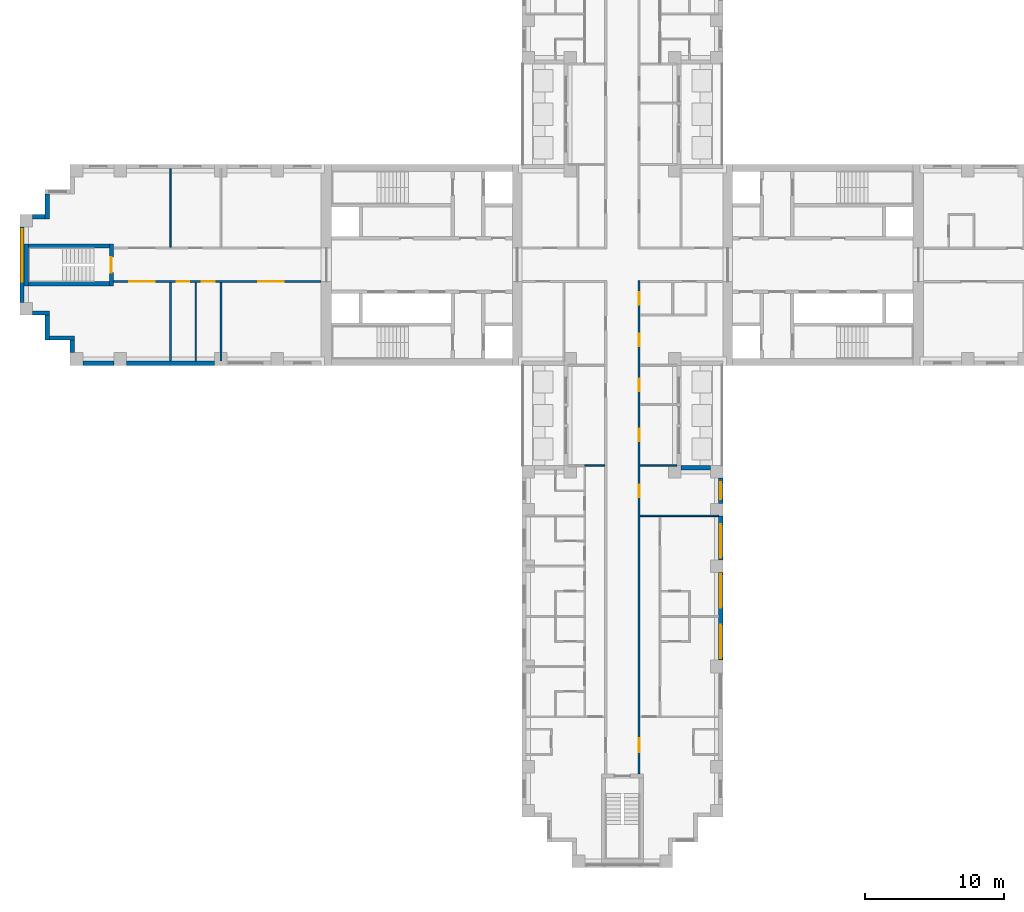
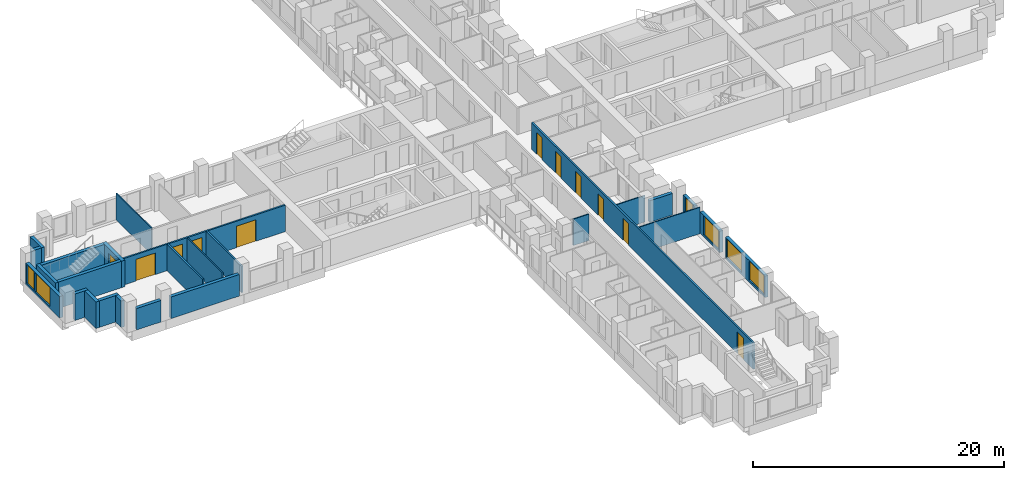
# One storey, part 5 of 15: 26 walls, 11 doors, 6 windows, 17 openings.
"""IFC4 building model written with IfcOpenShell, lengths in metres."""

from ifc_helpers import new_model, si_unit, direction, frame, frame_2d, origin, place, context, subcontext, project, spatial, rectangle, extrude, material, layer, layer_set, type_object, element, fill, save


model = new_model("IFC4")

# Units and contexts
model_context = context("Model", 3, precision=1e-05, world=origin(), true_north=direction((0.0, 1.0)))
body_context = subcontext(model_context, "Body", "Model", "MODEL_VIEW")
ifc_project = project(units=[si_unit("LENGTHUNIT", "METRE"), si_unit("AREAUNIT", "SQUARE_METRE"), si_unit("VOLUMEUNIT", "CUBIC_METRE"), si_unit("PLANEANGLEUNIT", "RADIAN"), si_unit("MASSUNIT", "GRAM", prefix="KILO")], contexts=[model_context])

# Site, building, storey
site_placement = place(None, origin())
site = spatial("IfcSite", under=ifc_project, at=site_placement, CompositionType="ELEMENT")
building_placement = place(site_placement, origin())
building = spatial("IfcBuilding", under=site, at=building_placement, Name="Fustian Cross Tower", CompositionType="ELEMENT")
storey_placement = place(building_placement, frame((0.0, 0.0, 17.699951171875)))
storey = spatial("IfcBuildingStorey", under=building, at=storey_placement, Name="L04", CompositionType="ELEMENT", Elevation=17.699951171875)

# Wall, openings, doors
ifc_material_1 = material(Name="Plasterboard on steel stud", Category="steel")
ifc_layer_1 = layer(ifc_material_1, 0.14990234375)
ifc_layer_set_1 = layer_set([ifc_layer_1], Name="Plasterboard on steel stud")
wall_type_1 = type_object("IfcWallType", Name="COMPARTMENT WALL 150 EI 60", PredefinedType="PARTITIONING", material=ifc_layer_set_1)
wall_1_placement = place(storey_placement, frame((-36.5, -1.199951171875, 0.0), z_axis=(0.0, 0.0, 1.0), x_axis=(1.0, 0.0, 0.0)))
wall_1 = element("IfcWall", 1, at=wall_1_placement, inside=storey, type_object=wall_type_1, Name="Partition 1", PredefinedType="PARTITIONING", context=body_context, shape_type="SweptSolid", body=[
    extrude(rectangle(XDim=14.89990234375, YDim=0.14990234375, at=frame_2d((7.449951171875, 0.0))), origin(), (0.0, 0.0, 1.0), 2.574951171875),
])
opening_1_placement = place(wall_1_placement, frame((10.39990234375, 0.0, 0.0)))
opening_1 = element("IfcOpeningElement", 2, at=opening_1_placement, cuts=wall_1, Name="Opening D04048", PredefinedType="OPENING", context=body_context, shape_type="SweptSolid", body=[
    extrude(rectangle(XDim=1.800048828125, YDim=2.10009765625, at=frame_2d((0.89990234375, 1.050048828125))), frame((0.0, 0.0849609375, 0.0), z_axis=(0.0, -1.0, 0.0), x_axis=(1.0, 0.0, 0.0)), (0.0, 0.0, 1.0), 0.169921875),
])
opening_2_placement = place(wall_1_placement, frame((6.35009765625, 0.0, 0.0)))
opening_2 = element("IfcOpeningElement", 3, at=opening_2_placement, cuts=wall_1, Name="Opening D04049", PredefinedType="OPENING", context=body_context, shape_type="SweptSolid", body=[
    extrude(rectangle(XDim=0.89990234375, YDim=2.10009765625, at=frame_2d((0.449951171875, 1.050048828125))), frame((0.0, 0.0849609375, 0.0), z_axis=(0.0, -1.0, 0.0), x_axis=(1.0, 0.0, 0.0)), (0.0, 0.0, 1.0), 0.169921875),
])
opening_3_placement = place(wall_1_placement, frame((4.550048828125, 0.0, 0.0)))
opening_3 = element("IfcOpeningElement", 4, at=opening_3_placement, cuts=wall_1, Name="Opening D04050", PredefinedType="OPENING", context=body_context, shape_type="SweptSolid", body=[
    extrude(rectangle(XDim=0.89990234375, YDim=2.10009765625, at=frame_2d((0.449951171875, 1.050048828125))), frame((0.0, 0.0849609375, 0.0), z_axis=(0.0, -1.0, 0.0), x_axis=(1.0, 0.0, 0.0)), (0.0, 0.0, 1.0), 0.169921875),
])
opening_4_placement = place(wall_1_placement, frame((1.14990234375, 0.0, 0.0)))
opening_4 = element("IfcOpeningElement", 5, at=opening_4_placement, cuts=wall_1, Name="Opening D04051", PredefinedType="OPENING", context=body_context, shape_type="SweptSolid", body=[
    extrude(rectangle(XDim=1.800048828125, YDim=2.10009765625, at=frame_2d((0.89990234375, 1.050048828125))), frame((0.0, 0.0849609375, 0.0), z_axis=(0.0, -1.0, 0.0), x_axis=(1.0, 0.0, 0.0)), (0.0, 0.0, 1.0), 0.169921875),
])
ifc_material_2 = material(Name="Timber fire door set", Category="wood")
door_type_1 = type_object("IfcDoorType", Name="FIRE DOUBLE DOOR 1800 FD30S", OperationType="DOUBLE_DOOR_DOUBLE_SWING", PredefinedType="DOOR", material=ifc_material_2)
door_1_placement = place(opening_1_placement, origin())
door_1 = element("IfcDoor", 6, at=door_1_placement, inside=storey, type_object=door_type_1, Name="Door D04048", OperationType="DOUBLE_DOOR_DOUBLE_SWING", OverallHeight=2.10009765625, OverallWidth=1.800048828125, PredefinedType="DOOR", context=body_context, shape_type="SweptSolid", body=[
    extrude(rectangle(XDim=1.800048828125, YDim=2.10009765625, at=frame_2d((0.89990234375, 1.050048828125))), frame((0.0, 0.02490234375, 0.0), z_axis=(0.0, -1.0, 0.0), x_axis=(1.0, 0.0, 0.0)), (0.0, 0.0, 1.0), 0.050048828125),
])
fill(opening_1, door_1)
door_2_placement = place(opening_4_placement, origin())
door_2 = element("IfcDoor", 7, at=door_2_placement, inside=storey, type_object=door_type_1, Name="Door D04051", OperationType="DOUBLE_DOOR_DOUBLE_SWING", OverallHeight=2.10009765625, OverallWidth=1.800048828125, PredefinedType="DOOR", context=body_context, shape_type="SweptSolid", body=[
    extrude(rectangle(XDim=1.800048828125, YDim=2.10009765625, at=frame_2d((0.89990234375, 1.050048828125))), frame((0.0, 0.02490234375, 0.0), z_axis=(0.0, -1.0, 0.0), x_axis=(1.0, 0.0, 0.0)), (0.0, 0.0, 1.0), 0.050048828125),
])
fill(opening_4, door_2)
ifc_material_3 = material(Name="Timber fire door set", Category="wood")
door_type_2 = type_object("IfcDoorType", Name="FIRE SWING DOOR 900 FD30S", OperationType="SINGLE_SWING_LEFT", PredefinedType="DOOR", material=ifc_material_3)
door_3_placement = place(opening_2_placement, frame((0.89990234375, 0.0, 0.0), z_axis=(0.0, 0.0, 1.0), x_axis=(-1.0, 0.0, 0.0)))
door_3 = element("IfcDoor", 8, at=door_3_placement, inside=storey, type_object=door_type_2, Name="Door D04049", OperationType="SINGLE_SWING_LEFT", OverallHeight=2.10009765625, OverallWidth=0.89990234375, PredefinedType="DOOR", context=body_context, shape_type="SweptSolid", body=[
    extrude(rectangle(XDim=0.89990234375, YDim=2.10009765625, at=frame_2d((0.449951171875, 1.050048828125))), frame((0.0, 0.02490234375, 0.0), z_axis=(0.0, -1.0, 0.0), x_axis=(1.0, 0.0, 0.0)), (0.0, 0.0, 1.0), 0.050048828125),
])
fill(opening_2, door_3)
door_4_placement = place(opening_3_placement, frame((0.89990234375, 0.0, 0.0), z_axis=(0.0, 0.0, 1.0), x_axis=(-1.0, 0.0, 0.0)))
door_4 = element("IfcDoor", 9, at=door_4_placement, inside=storey, type_object=door_type_2, Name="Door D04050", OperationType="SINGLE_SWING_LEFT", OverallHeight=2.10009765625, OverallWidth=0.89990234375, PredefinedType="DOOR", context=body_context, shape_type="SweptSolid", body=[
    extrude(rectangle(XDim=0.89990234375, YDim=2.10009765625, at=frame_2d((0.449951171875, 1.050048828125))), frame((0.0, 0.02490234375, 0.0), z_axis=(0.0, -1.0, 0.0), x_axis=(1.0, 0.0, 0.0)), (0.0, 0.0, 1.0), 0.050048828125),
])
fill(opening_3, door_4)

# Walls
for number, where, z_axis, x_axis, name in (
    (10, (-32.39990234375, -6.89990234375, 0.0), (0.0, 0.0, 1.0), (0.0, 1.0, 0.0), "Partition 3"),
    (11, (-28.800048828125, -6.89990234375, 0.0), (0.0, 0.0, 1.0), (0.0, 1.0, 0.0), "Partition 6"),
):
    element("IfcWall", number, at=place(storey_placement, frame(where, z_axis=z_axis, x_axis=x_axis)), inside=storey, type_object=wall_type_1, Name=name, PredefinedType="PARTITIONING", context=body_context, shape_type="SweptSolid", body=[
        extrude(rectangle(XDim=5.625, YDim=0.14990234375, at=frame_2d((2.8125, 0.0))), origin(), (0.0, 0.0, 1.0), 2.574951171875),
    ])

# Wall, openings, doors
wall_2_placement = place(storey_placement, frame((1.199951171875, -36.5, 0.0), z_axis=(0.0, 0.0, 1.0), x_axis=(0.0, 1.0, 0.0)))
wall_2 = element("IfcWall", 12, at=wall_2_placement, inside=storey, type_object=wall_type_1, Name="Partition 56", PredefinedType="PARTITIONING", context=body_context, shape_type="SweptSolid", body=[
    extrude(rectangle(XDim=35.375, YDim=0.14990234375, at=frame_2d((17.6875, 0.0))), origin(), (0.0, 0.0, 1.0), 2.574951171875),
])
opening_5_placement = place(wall_2_placement, frame((33.64990234375, 0.0, 0.0)))
opening_5 = element("IfcOpeningElement", 13, at=opening_5_placement, cuts=wall_2, Name="Opening D04005", PredefinedType="OPENING", context=body_context, shape_type="SweptSolid", body=[
    extrude(rectangle(XDim=0.89990234375, YDim=2.10009765625, at=frame_2d((0.449951171875, 1.050048828125))), frame((0.0, 0.0849609375, 0.0), z_axis=(0.0, -1.0, 0.0), x_axis=(1.0, 0.0, 0.0)), (0.0, 0.0, 1.0), 0.169921875),
])
opening_6_placement = place(wall_2_placement, frame((30.64990234375, 0.0, 0.0)))
opening_6 = element("IfcOpeningElement", 14, at=opening_6_placement, cuts=wall_2, Name="Opening D04007", PredefinedType="OPENING", context=body_context, shape_type="SweptSolid", body=[
    extrude(rectangle(XDim=0.89990234375, YDim=2.10009765625, at=frame_2d((0.449951171875, 1.050048828125))), frame((0.0, 0.0849609375, 0.0), z_axis=(0.0, -1.0, 0.0), x_axis=(1.0, 0.0, 0.0)), (0.0, 0.0, 1.0), 0.169921875),
])
opening_7_placement = place(wall_2_placement, frame((27.449951171875, 0.0, 0.0)))
opening_7 = element("IfcOpeningElement", 15, at=opening_7_placement, cuts=wall_2, Name="Opening D04055", PredefinedType="OPENING", context=body_context, shape_type="SweptSolid", body=[
    extrude(rectangle(XDim=0.89990234375, YDim=2.10009765625, at=frame_2d((0.449951171875, 1.050048828125))), frame((0.0, 0.0849609375, 0.0), z_axis=(0.0, -1.0, 0.0), x_axis=(1.0, 0.0, 0.0)), (0.0, 0.0, 1.0), 0.169921875),
])
opening_8_placement = place(wall_2_placement, frame((23.85009765625, 0.0, 0.0)))
opening_8 = element("IfcOpeningElement", 16, at=opening_8_placement, cuts=wall_2, Name="Opening D04056", PredefinedType="OPENING", context=body_context, shape_type="SweptSolid", body=[
    extrude(rectangle(XDim=0.89990234375, YDim=2.10009765625, at=frame_2d((0.449951171875, 1.050048828125))), frame((0.0, 0.0849609375, 0.0), z_axis=(0.0, -1.0, 0.0), x_axis=(1.0, 0.0, 0.0)), (0.0, 0.0, 1.0), 0.169921875),
])
opening_9_placement = place(wall_2_placement, frame((19.85009765625, 0.0, 0.0)))
opening_9 = element("IfcOpeningElement", 17, at=opening_9_placement, cuts=wall_2, Name="Opening D04057", PredefinedType="OPENING", context=body_context, shape_type="SweptSolid", body=[
    extrude(rectangle(XDim=0.89990234375, YDim=2.10009765625, at=frame_2d((0.449951171875, 1.050048828125))), frame((0.0, 0.0849609375, 0.0), z_axis=(0.0, -1.0, 0.0), x_axis=(1.0, 0.0, 0.0)), (0.0, 0.0, 1.0), 0.169921875),
])
opening_10_placement = place(wall_2_placement, frame((1.550048828125, 0.0, 0.0)))
opening_10 = element("IfcOpeningElement", 18, at=opening_10_placement, cuts=wall_2, Name="Opening D04059", PredefinedType="OPENING", context=body_context, shape_type="SweptSolid", body=[
    extrude(rectangle(XDim=1.0, YDim=2.10009765625, at=frame_2d((0.5, 1.050048828125))), frame((0.0, 0.0849609375, 0.0), z_axis=(0.0, -1.0, 0.0), x_axis=(1.0, 0.0, 0.0)), (0.0, 0.0, 1.0), 0.169921875),
])
ifc_material_4 = material(Name="Timber fire door set", Category="wood")
door_type_3 = type_object("IfcDoorType", Name="FIRE SWING DOOR 1000 FD30S", OperationType="SINGLE_SWING_LEFT", PredefinedType="DOOR", material=ifc_material_4)
door_5_placement = place(opening_10_placement, frame((1.0, 0.0, 0.0), z_axis=(0.0, 0.0, 1.0), x_axis=(-1.0, 0.0, 0.0)))
door_5 = element("IfcDoor", 19, at=door_5_placement, inside=storey, type_object=door_type_3, Name="Door D04059", OperationType="SINGLE_SWING_LEFT", OverallHeight=2.10009765625, OverallWidth=1.0, PredefinedType="DOOR", context=body_context, shape_type="SweptSolid", body=[
    extrude(rectangle(XDim=1.0, YDim=2.10009765625, at=frame_2d((0.5, 1.050048828125))), frame((0.0, 0.02490234375, 0.0), z_axis=(0.0, -1.0, 0.0), x_axis=(1.0, 0.0, 0.0)), (0.0, 0.0, 1.0), 0.050048828125),
])
fill(opening_10, door_5)
door_6_placement = place(opening_5_placement, frame((0.89990234375, 0.0, 0.0), z_axis=(0.0, 0.0, 1.0), x_axis=(-1.0, 0.0, 0.0)))
door_6 = element("IfcDoor", 20, at=door_6_placement, inside=storey, type_object=door_type_2, Name="Door D04005", OperationType="SINGLE_SWING_RIGHT", OverallHeight=2.10009765625, OverallWidth=0.89990234375, PredefinedType="DOOR", context=body_context, shape_type="SweptSolid", body=[
    extrude(rectangle(XDim=0.89990234375, YDim=2.10009765625, at=frame_2d((0.449951171875, 1.050048828125))), frame((0.0, 0.02490234375, 0.0), z_axis=(0.0, -1.0, 0.0), x_axis=(1.0, 0.0, 0.0)), (0.0, 0.0, 1.0), 0.050048828125),
])
fill(opening_5, door_6)
door_7_placement = place(opening_6_placement, frame((0.89990234375, 0.0, 0.0), z_axis=(0.0, 0.0, 1.0), x_axis=(-1.0, 0.0, 0.0)))
door_7 = element("IfcDoor", 21, at=door_7_placement, inside=storey, type_object=door_type_2, Name="Door D04007", OperationType="SINGLE_SWING_RIGHT", OverallHeight=2.10009765625, OverallWidth=0.89990234375, PredefinedType="DOOR", context=body_context, shape_type="SweptSolid", body=[
    extrude(rectangle(XDim=0.89990234375, YDim=2.10009765625, at=frame_2d((0.449951171875, 1.050048828125))), frame((0.0, 0.02490234375, 0.0), z_axis=(0.0, -1.0, 0.0), x_axis=(1.0, 0.0, 0.0)), (0.0, 0.0, 1.0), 0.050048828125),
])
fill(opening_6, door_7)
door_8_placement = place(opening_7_placement, frame((0.89990234375, 0.0, 0.0), z_axis=(0.0, 0.0, 1.0), x_axis=(-1.0, 0.0, 0.0)))
door_8 = element("IfcDoor", 22, at=door_8_placement, inside=storey, type_object=door_type_2, Name="Door D04055", OperationType="SINGLE_SWING_RIGHT", OverallHeight=2.10009765625, OverallWidth=0.89990234375, PredefinedType="DOOR", context=body_context, shape_type="SweptSolid", body=[
    extrude(rectangle(XDim=0.89990234375, YDim=2.10009765625, at=frame_2d((0.449951171875, 1.050048828125))), frame((0.0, 0.02490234375, 0.0), z_axis=(0.0, -1.0, 0.0), x_axis=(1.0, 0.0, 0.0)), (0.0, 0.0, 1.0), 0.050048828125),
])
fill(opening_7, door_8)
door_9_placement = place(opening_8_placement, frame((0.89990234375, 0.0, 0.0), z_axis=(0.0, 0.0, 1.0), x_axis=(-1.0, 0.0, 0.0)))
door_9 = element("IfcDoor", 23, at=door_9_placement, inside=storey, type_object=door_type_2, Name="Door D04056", OperationType="SINGLE_SWING_RIGHT", OverallHeight=2.10009765625, OverallWidth=0.89990234375, PredefinedType="DOOR", context=body_context, shape_type="SweptSolid", body=[
    extrude(rectangle(XDim=0.89990234375, YDim=2.10009765625, at=frame_2d((0.449951171875, 1.050048828125))), frame((0.0, 0.02490234375, 0.0), z_axis=(0.0, -1.0, 0.0), x_axis=(1.0, 0.0, 0.0)), (0.0, 0.0, 1.0), 0.050048828125),
])
fill(opening_8, door_9)
door_10_placement = place(opening_9_placement, frame((0.89990234375, 0.0, 0.0), z_axis=(0.0, 0.0, 1.0), x_axis=(-1.0, 0.0, 0.0)))
door_10 = element("IfcDoor", 24, at=door_10_placement, inside=storey, type_object=door_type_2, Name="Door D04057", OperationType="SINGLE_SWING_RIGHT", OverallHeight=2.10009765625, OverallWidth=0.89990234375, PredefinedType="DOOR", context=body_context, shape_type="SweptSolid", body=[
    extrude(rectangle(XDim=0.89990234375, YDim=2.10009765625, at=frame_2d((0.449951171875, 1.050048828125))), frame((0.0, 0.02490234375, 0.0), z_axis=(0.0, -1.0, 0.0), x_axis=(1.0, 0.0, 0.0)), (0.0, 0.0, 1.0), 0.050048828125),
])
fill(opening_9, door_10)

# Walls
ifc_material_5 = material(Name="Plasterboard on steel stud", Category="steel")
ifc_layer_2 = layer(ifc_material_5, 0.10009765625)
ifc_layer_set_2 = layer_set([ifc_layer_2], Name="Plasterboard on steel stud")
wall_type_2 = type_object("IfcWallType", Name="PARTITION 100 STUD", PredefinedType="PARTITIONING", material=ifc_layer_set_2)
for number, where, z_axis, x_axis, name in (
    (25, (-32.39990234375, 1.27490234375, 0.0), (0.0, 0.0, 1.0), (0.0, 1.0, 0.0), "Partition 4"),
    (26, (-30.60009765625, -6.89990234375, 0.0), (0.0, 0.0, 1.0), (0.0, 1.0, 0.0), "Partition 5"),
):
    element("IfcWall", number, at=place(storey_placement, frame(where, z_axis=z_axis, x_axis=x_axis)), inside=storey, type_object=wall_type_2, Name=name, PredefinedType="PARTITIONING", context=body_context, shape_type="SweptSolid", body=[
        extrude(rectangle(XDim=5.625, YDim=0.10009765625, at=frame_2d((2.8125, 0.0))), origin(), (0.0, 0.0, 1.0), 2.574951171875),
    ])
wall_3_placement = place(storey_placement, frame((-2.699951171875, -14.39990234375, 0.0), z_axis=(0.0, 0.0, 1.0), x_axis=(1.0, 0.0, 0.0)))
element("IfcWall", 27, at=wall_3_placement, inside=storey, type_object=wall_type_2, Name="Partition 51", PredefinedType="PARTITIONING", context=body_context, shape_type="SweptSolid", body=[
    extrude(rectangle(XDim=1.425048828125, YDim=0.10009765625, at=frame_2d((0.71240234375, 0.0))), origin(), (0.0, 0.0, 1.0), 2.574951171875),
])
wall_4_placement = place(storey_placement, frame((1.27490234375, -18.0, 0.0), z_axis=(0.0, 0.0, 1.0), x_axis=(1.0, 0.0, 0.0)))
element("IfcWall", 28, at=wall_4_placement, inside=storey, type_object=wall_type_2, Name="Partition 58", PredefinedType="PARTITIONING", context=body_context, shape_type="SweptSolid", body=[
    extrude(rectangle(XDim=5.625, YDim=0.10009765625, at=frame_2d((2.8125, 0.0))), origin(), (0.0, 0.0, 1.0), 2.574951171875),
])
wall_5_placement = place(storey_placement, frame((1.27490234375, -14.39990234375, 0.0), z_axis=(0.0, 0.0, 1.0), x_axis=(1.0, 0.0, 0.0)))
element("IfcWall", 29, at=wall_5_placement, inside=storey, type_object=wall_type_2, Name="Partition 59", PredefinedType="PARTITIONING", context=body_context, shape_type="SweptSolid", body=[
    extrude(rectangle(XDim=2.625, YDim=0.10009765625, at=frame_2d((1.3125, 0.0))), origin(), (0.0, 0.0, 1.0), 2.574951171875),
])

# Wall, opening, door
ifc_material_6 = material(Name="Concrete C50/60", Category="concrete")
ifc_layer_3 = layer(ifc_material_6, 0.300048828125)
ifc_layer_set_3 = layer_set([ifc_layer_3], Name="Concrete C50/60")
wall_type_3 = type_object("IfcWallType", Name="STAIR ENCLOSURE WALL 300 C50/60", PredefinedType="SHEAR", material=ifc_layer_set_3)
wall_6_placement = place(storey_placement, frame((-36.64990234375, -1.5, 0.0), z_axis=(0.0, 0.0, 1.0), x_axis=(0.0, 1.0, 0.0)))
wall_6 = element("IfcWall", 30, at=wall_6_placement, inside=storey, type_object=wall_type_3, Name="Stair enclosure wall", PredefinedType="SHEAR", context=body_context, shape_type="SweptSolid", body=[
    extrude(rectangle(XDim=3.0, YDim=0.300048828125, at=frame_2d((1.5, 0.0))), origin(), (0.0, 0.0, 1.0), 2.574951171875),
])
opening_11_placement = place(wall_6_placement, frame((0.949951171875, 0.0, 0.0)))
opening_11 = element("IfcOpeningElement", 31, at=opening_11_placement, cuts=wall_6, Name="Opening CD-04-32", PredefinedType="OPENING", context=body_context, shape_type="SweptSolid", body=[
    extrude(rectangle(XDim=1.10009765625, YDim=2.10009765625, at=frame_2d((0.550048828125, 1.050048828125))), frame((0.0, 0.159912109375, 0.0), z_axis=(0.0, -1.0, 0.0), x_axis=(1.0, 0.0, 0.0)), (0.0, 0.0, 1.0), 0.320068359375),
])
ifc_material_7 = material(Name="Steel", Category="steel")
door_type_4 = type_object("IfcDoorType", Name="FIRE DOOR FD60S 1100X2100", OperationType="SINGLE_SWING_LEFT", PredefinedType="DOOR", material=ifc_material_7)
door_11_placement = place(opening_11_placement, origin())
door_11 = element("IfcDoor", 32, at=door_11_placement, inside=storey, type_object=door_type_4, Name="Core door CD-04-32", OperationType="SINGLE_SWING_LEFT", OverallHeight=2.10009765625, OverallWidth=1.10009765625, PredefinedType="DOOR", context=body_context, shape_type="SweptSolid", body=[
    extrude(rectangle(XDim=1.10009765625, YDim=2.10009765625, at=frame_2d((0.550048828125, 1.050048828125))), frame((0.0, 0.02490234375, 0.0), z_axis=(0.0, -1.0, 0.0), x_axis=(1.0, 0.0, 0.0)), (0.0, 0.0, 1.0), 0.050048828125),
])
fill(opening_11, door_11)

# Walls
wall_7_placement = place(storey_placement, frame((-42.75, -1.5, 0.0), z_axis=(0.0, 0.0, 1.0), x_axis=(0.0, 1.0, 0.0)))
element("IfcWall", 33, at=wall_7_placement, inside=storey, type_object=wall_type_3, Name="Stair enclosure wall", PredefinedType="SHEAR", context=body_context, shape_type="SweptSolid", body=[
    extrude(rectangle(XDim=3.0, YDim=0.300048828125, at=frame_2d((1.5, 0.0))), origin(), (0.0, 0.0, 1.0), 2.574951171875),
])
for number, where, z_axis, x_axis, name in (
    (34, (-36.800048828125, -1.35009765625, 0.0), (0.0, 0.0, 1.0), (-1.0, 0.0, 0.0), "Stair enclosure wall"),
    (35, (-36.800048828125, 1.35009765625, 0.0), (0.0, 0.0, 1.0), (-1.0, 0.0, 0.0), "Stair enclosure wall"),
):
    element("IfcWall", number, at=place(storey_placement, frame(where, z_axis=z_axis, x_axis=x_axis)), inside=storey, type_object=wall_type_3, Name=name, PredefinedType="SHEAR", context=body_context, shape_type="SweptSolid", body=[
        extrude(rectangle(XDim=5.800048828125, YDim=0.300048828125, at=frame_2d((2.89990234375, 0.0))), origin(), (0.0, 0.0, 1.0), 2.574951171875),
    ])
ifc_material_8 = material(Name="Dark aluminium cladding on insulated backing wall", Category="aluminium")
ifc_layer_4 = layer(ifc_material_8, 0.300048828125)
ifc_layer_set_4 = layer_set([ifc_layer_4], Name="Dark aluminium cladding on insulated backing wall")
wall_type_4 = type_object("IfcWallType", Name="XW1 EXTERNAL WALL 300", PredefinedType="SOLIDWALL", material=ifc_layer_set_4)
wall_8_placement = place(storey_placement, frame((-41.25, 5.10009765625, 0.0), z_axis=(0.0, 0.0, 1.0), x_axis=(0.0, -1.0, 0.0)))
element("IfcWall", 36, at=wall_8_placement, inside=storey, type_object=wall_type_4, Name="External wall", PredefinedType="SOLIDWALL", context=body_context, shape_type="SweptSolid", body=[
    extrude(rectangle(XDim=1.800048828125, YDim=0.300048828125, at=frame_2d((0.89990234375, 0.0))), origin(), (0.0, 0.0, 1.0), 2.574951171875),
])
wall_9_placement = place(storey_placement, frame((-41.39990234375, 3.449951171875, 0.0), z_axis=(0.0, 0.0, 1.0), x_axis=(-1.0, 0.0, 0.0)))
element("IfcWall", 37, at=wall_9_placement, inside=storey, type_object=wall_type_4, Name="External wall", PredefinedType="SOLIDWALL", context=body_context, shape_type="SweptSolid", body=[
    extrude(rectangle(XDim=0.900146484375, YDim=0.300048828125, at=frame_2d((0.4501953125, 0.0))), origin(), (0.0, 0.0, 1.0), 2.574951171875),
])

# Wall, openings, windows
wall_10_placement = place(storey_placement, frame((-43.050048828125, 2.699951171875, 0.0), z_axis=(0.0, 0.0, 1.0), x_axis=(0.0, -1.0, 0.0)))
wall_10 = element("IfcWall", 38, at=wall_10_placement, inside=storey, type_object=wall_type_4, Name="External wall", PredefinedType="SOLIDWALL", context=body_context, shape_type="SweptSolid", body=[
    extrude(rectangle(XDim=5.39990234375, YDim=0.300048828125, at=frame_2d((2.699951171875, 0.0))), origin(), (0.0, 0.0, 1.0), 2.10009765625),
])
opening_12_placement = place(wall_10_placement, frame((1.5, 0.0, 0.199951171875)))
opening_12 = element("IfcOpeningElement", 39, at=opening_12_placement, cuts=wall_10, Name="Opening WN1", PredefinedType="OPENING", context=body_context, shape_type="SweptSolid", body=[
    extrude(rectangle(XDim=2.39990234375, YDim=1.85009765625, at=frame_2d((1.199951171875, 0.925048828125))), frame((0.0, 0.159912109375, 0.0), z_axis=(0.0, -1.0, 0.0), x_axis=(1.0, 0.0, 0.0)), (0.0, 0.0, 1.0), 0.320068359375),
])
opening_13_placement = place(wall_10_placement, frame((0.14990234375, 0.0, 0.199951171875)))
opening_13 = element("IfcOpeningElement", 40, at=opening_13_placement, cuts=wall_10, Name="Opening WN3", PredefinedType="OPENING", context=body_context, shape_type="SweptSolid", body=[
    extrude(rectangle(XDim=1.199951171875, YDim=1.85009765625, at=frame_2d((0.60009765625, 0.925048828125))), frame((0.0, 0.159912109375, 0.0), z_axis=(0.0, -1.0, 0.0), x_axis=(1.0, 0.0, 0.0)), (0.0, 0.0, 1.0), 0.320068359375),
])
ifc_material_9 = material(Name="Dark anodised aluminium and double glazing", Category="aluminium")
window_type_1 = type_object("IfcWindowType", Name="WN1 WINDOW 2400X1850", PartitioningType="SINGLE_PANEL", PredefinedType="WINDOW", material=ifc_material_9)
window_1_placement = place(opening_12_placement, origin())
window_1 = element("IfcWindow", 41, at=window_1_placement, inside=storey, type_object=window_type_1, Name="Window", OverallHeight=1.85009765625, OverallWidth=2.39990234375, PartitioningType="SINGLE_PANEL", PredefinedType="WINDOW", context=body_context, shape_type="SweptSolid", body=[
    extrude(rectangle(XDim=2.39990234375, YDim=1.85009765625, at=frame_2d((1.199951171875, 0.925048828125))), frame((0.0, 0.030029296875, 0.0), z_axis=(0.0, -1.0, 0.0), x_axis=(1.0, 0.0, 0.0)), (0.0, 0.0, 1.0), 0.06005859375),
])
fill(opening_12, window_1)
ifc_material_10 = material(Name="Dark anodised aluminium and double glazing", Category="aluminium")
window_type_2 = type_object("IfcWindowType", Name="WN3 WINDOW 1200X1850", PartitioningType="SINGLE_PANEL", PredefinedType="WINDOW", material=ifc_material_10)
window_2_placement = place(opening_13_placement, origin())
window_2 = element("IfcWindow", 42, at=window_2_placement, inside=storey, type_object=window_type_2, Name="Window", OverallHeight=1.85009765625, OverallWidth=1.199951171875, PartitioningType="SINGLE_PANEL", PredefinedType="WINDOW", context=body_context, shape_type="SweptSolid", body=[
    extrude(rectangle(XDim=1.199951171875, YDim=1.85009765625, at=frame_2d((0.60009765625, 0.925048828125))), frame((0.0, 0.030029296875, 0.0), z_axis=(0.0, -1.0, 0.0), x_axis=(1.0, 0.0, 0.0)), (0.0, 0.0, 1.0), 0.06005859375),
])
fill(opening_13, window_2)

# Walls
wall_11_placement = place(storey_placement, frame((-42.300048828125, -3.449951171875, 0.0), z_axis=(0.0, 0.0, 1.0), x_axis=(1.0, 0.0, 0.0)))
element("IfcWall", 43, at=wall_11_placement, inside=storey, type_object=wall_type_4, Name="External wall", PredefinedType="SOLIDWALL", context=body_context, shape_type="SweptSolid", body=[
    extrude(rectangle(XDim=1.199951171875, YDim=0.300048828125, at=frame_2d((0.60009765625, 0.0))), origin(), (0.0, 0.0, 1.0), 2.574951171875),
])
wall_12_placement = place(storey_placement, frame((-41.25, -3.60009765625, 0.0), z_axis=(0.0, 0.0, 1.0), x_axis=(0.0, -1.0, 0.0)))
element("IfcWall", 44, at=wall_12_placement, inside=storey, type_object=wall_type_4, Name="External wall", PredefinedType="SOLIDWALL", context=body_context, shape_type="SweptSolid", body=[
    extrude(rectangle(XDim=1.7998046875, YDim=0.300048828125, at=frame_2d((0.89990234375, 0.0))), origin(), (0.0, 0.0, 1.0), 2.574951171875),
])
wall_13_placement = place(storey_placement, frame((-41.10009765625, -5.25, 0.0), z_axis=(0.0, 0.0, 1.0), x_axis=(1.0, 0.0, 0.0)))
element("IfcWall", 45, at=wall_13_placement, inside=storey, type_object=wall_type_4, Name="External wall", PredefinedType="SOLIDWALL", context=body_context, shape_type="SweptSolid", body=[
    extrude(rectangle(XDim=1.800048828125, YDim=0.300048828125, at=frame_2d((0.89990234375, 0.0))), origin(), (0.0, 0.0, 1.0), 2.574951171875),
])
wall_14_placement = place(storey_placement, frame((-39.449951171875, -5.39990234375, 0.0), z_axis=(0.0, 0.0, 1.0), x_axis=(0.0, -1.0, 0.0)))
element("IfcWall", 46, at=wall_14_placement, inside=storey, type_object=wall_type_4, Name="External wall", PredefinedType="SOLIDWALL", context=body_context, shape_type="SweptSolid", body=[
    extrude(rectangle(XDim=0.900146484375, YDim=0.300048828125, at=frame_2d((0.4501953125, 0.0))), origin(), (0.0, 0.0, 1.0), 2.574951171875),
])
wall_15_placement = place(storey_placement, frame((-38.699951171875, -7.050048828125, 0.0), z_axis=(0.0, 0.0, 1.0), x_axis=(1.0, 0.0, 0.0)))
element("IfcWall", 47, at=wall_15_placement, inside=storey, type_object=wall_type_4, Name="External wall", PredefinedType="SOLIDWALL", context=body_context, shape_type="SweptSolid", body=[
    extrude(rectangle(XDim=2.25, YDim=0.300048828125, at=frame_2d((1.125, 0.0))), origin(), (0.0, 0.0, 1.0), 2.10009765625),
])
wall_16_placement = place(storey_placement, frame((-35.550048828125, -7.050048828125, 0.0), z_axis=(0.0, 0.0, 1.0), x_axis=(1.0, 0.0, 0.0)))
element("IfcWall", 48, at=wall_16_placement, inside=storey, type_object=wall_type_4, Name="External wall", PredefinedType="SOLIDWALL", context=body_context, shape_type="SweptSolid", body=[
    extrude(rectangle(XDim=6.300048828125, YDim=0.300048828125, at=frame_2d((3.14990234375, 0.0))), origin(), (0.0, 0.0, 1.0), 2.10009765625),
])

# Wall, openings, windows
wall_17_placement = place(storey_placement, frame((7.050048828125, -28.35009765625, 0.0), z_axis=(0.0, 0.0, 1.0), x_axis=(0.0, 1.0, 0.0)))
wall_17 = element("IfcWall", 49, at=wall_17_placement, inside=storey, type_object=wall_type_4, Name="External wall", PredefinedType="SOLIDWALL", context=body_context, shape_type="SweptSolid", body=[
    extrude(rectangle(XDim=6.300048828125, YDim=0.300048828125, at=frame_2d((3.14990234375, 0.0))), origin(), (0.0, 0.0, 1.0), 2.10009765625),
])
opening_14_placement = place(wall_17_placement, frame((0.14990234375, 0.0, 0.199951171875)))
opening_14 = element("IfcOpeningElement", 50, at=opening_14_placement, cuts=wall_17, Name="Opening WN1", PredefinedType="OPENING", context=body_context, shape_type="SweptSolid", body=[
    extrude(rectangle(XDim=2.39990234375, YDim=1.85009765625, at=frame_2d((1.199951171875, 0.925048828125))), frame((0.0, 0.159912109375, 0.0), z_axis=(0.0, -1.0, 0.0), x_axis=(1.0, 0.0, 0.0)), (0.0, 0.0, 1.0), 0.320068359375),
])
opening_15_placement = place(wall_17_placement, frame((3.75, 0.0, 0.199951171875)))
opening_15 = element("IfcOpeningElement", 51, at=opening_15_placement, cuts=wall_17, Name="Opening WN1", PredefinedType="OPENING", context=body_context, shape_type="SweptSolid", body=[
    extrude(rectangle(XDim=2.39990234375, YDim=1.85009765625, at=frame_2d((1.199951171875, 0.925048828125))), frame((0.0, 0.159912109375, 0.0), z_axis=(0.0, -1.0, 0.0), x_axis=(1.0, 0.0, 0.0)), (0.0, 0.0, 1.0), 0.320068359375),
])
window_3_placement = place(opening_14_placement, origin())
window_3 = element("IfcWindow", 52, at=window_3_placement, inside=storey, type_object=window_type_1, Name="Window", OverallHeight=1.85009765625, OverallWidth=2.39990234375, PartitioningType="SINGLE_PANEL", PredefinedType="WINDOW", context=body_context, shape_type="SweptSolid", body=[
    extrude(rectangle(XDim=2.39990234375, YDim=1.85009765625, at=frame_2d((1.199951171875, 0.925048828125))), frame((0.0, 0.030029296875, 0.0), z_axis=(0.0, -1.0, 0.0), x_axis=(1.0, 0.0, 0.0)), (0.0, 0.0, 1.0), 0.06005859375),
])
fill(opening_14, window_3)
window_4_placement = place(opening_15_placement, origin())
window_4 = element("IfcWindow", 53, at=window_4_placement, inside=storey, type_object=window_type_1, Name="Window", OverallHeight=1.85009765625, OverallWidth=2.39990234375, PartitioningType="SINGLE_PANEL", PredefinedType="WINDOW", context=body_context, shape_type="SweptSolid", body=[
    extrude(rectangle(XDim=2.39990234375, YDim=1.85009765625, at=frame_2d((1.199951171875, 0.925048828125))), frame((0.0, 0.030029296875, 0.0), z_axis=(0.0, -1.0, 0.0), x_axis=(1.0, 0.0, 0.0)), (0.0, 0.0, 1.0), 0.06005859375),
])
fill(opening_15, window_4)

# Wall, opening, window
wall_18_placement = place(storey_placement, frame((7.050048828125, -21.14990234375, 0.0), z_axis=(0.0, 0.0, 1.0), x_axis=(0.0, 1.0, 0.0)))
wall_18 = element("IfcWall", 54, at=wall_18_placement, inside=storey, type_object=wall_type_4, Name="External wall", PredefinedType="SOLIDWALL", context=body_context, shape_type="SweptSolid", body=[
    extrude(rectangle(XDim=3.14990234375, YDim=0.300048828125, at=frame_2d((1.574951171875, 0.0))), origin(), (0.0, 0.0, 1.0), 2.10009765625),
])
opening_16_placement = place(wall_18_placement, frame((0.14990234375, 0.0, 0.199951171875)))
opening_16 = element("IfcOpeningElement", 55, at=opening_16_placement, cuts=wall_18, Name="Opening WN1", PredefinedType="OPENING", context=body_context, shape_type="SweptSolid", body=[
    extrude(rectangle(XDim=2.39990234375, YDim=1.85009765625, at=frame_2d((1.199951171875, 0.925048828125))), frame((0.0, 0.159912109375, 0.0), z_axis=(0.0, -1.0, 0.0), x_axis=(1.0, 0.0, 0.0)), (0.0, 0.0, 1.0), 0.320068359375),
])
window_5_placement = place(opening_16_placement, origin())
window_5 = element("IfcWindow", 56, at=window_5_placement, inside=storey, type_object=window_type_1, Name="Window", OverallHeight=1.85009765625, OverallWidth=2.39990234375, PartitioningType="SINGLE_PANEL", PredefinedType="WINDOW", context=body_context, shape_type="SweptSolid", body=[
    extrude(rectangle(XDim=2.39990234375, YDim=1.85009765625, at=frame_2d((1.199951171875, 0.925048828125))), frame((0.0, 0.030029296875, 0.0), z_axis=(0.0, -1.0, 0.0), x_axis=(1.0, 0.0, 0.0)), (0.0, 0.0, 1.0), 0.06005859375),
])
fill(opening_16, window_5)

wall_19_placement = place(storey_placement, frame((7.050048828125, -17.10009765625, 0.0), z_axis=(0.0, 0.0, 1.0), x_axis=(0.0, 1.0, 0.0)))
wall_19 = element("IfcWall", 57, at=wall_19_placement, inside=storey, type_object=wall_type_4, Name="External wall", PredefinedType="SOLIDWALL", context=body_context, shape_type="SweptSolid", body=[
    extrude(rectangle(XDim=1.800048828125, YDim=0.300048828125, at=frame_2d((0.89990234375, 0.0))), origin(), (0.0, 0.0, 1.0), 2.10009765625),
])
opening_17_placement = place(wall_19_placement, frame((0.300048828125, 0.0, 0.199951171875)))
opening_17 = element("IfcOpeningElement", 58, at=opening_17_placement, cuts=wall_19, Name="Opening WN3", PredefinedType="OPENING", context=body_context, shape_type="SweptSolid", body=[
    extrude(rectangle(XDim=1.199951171875, YDim=1.85009765625, at=frame_2d((0.60009765625, 0.925048828125))), frame((0.0, 0.159912109375, 0.0), z_axis=(0.0, -1.0, 0.0), x_axis=(1.0, 0.0, 0.0)), (0.0, 0.0, 1.0), 0.320068359375),
])
window_6_placement = place(opening_17_placement, origin())
window_6 = element("IfcWindow", 59, at=window_6_placement, inside=storey, type_object=window_type_2, Name="Window", OverallHeight=1.85009765625, OverallWidth=1.199951171875, PartitioningType="SINGLE_PANEL", PredefinedType="WINDOW", context=body_context, shape_type="SweptSolid", body=[
    extrude(rectangle(XDim=1.199951171875, YDim=1.85009765625, at=frame_2d((0.60009765625, 0.925048828125))), frame((0.0, 0.030029296875, 0.0), z_axis=(0.0, -1.0, 0.0), x_axis=(1.0, 0.0, 0.0)), (0.0, 0.0, 1.0), 0.06005859375),
])
fill(opening_17, window_6)

# Wall
wall_20_placement = place(storey_placement, frame((6.300048828125, -14.550048828125, 0.0), z_axis=(0.0, 0.0, 1.0), x_axis=(-1.0, 0.0, 0.0)))
element("IfcWall", 60, at=wall_20_placement, inside=storey, type_object=wall_type_4, Name="External wall", PredefinedType="SOLIDWALL", context=body_context, shape_type="SweptSolid", body=[
    extrude(rectangle(XDim=2.10009765625, YDim=0.300048828125, at=frame_2d((1.050048828125, 0.0))), origin(), (0.0, 0.0, 1.0), 2.10009765625),
])

save(model, "model.ifc")
